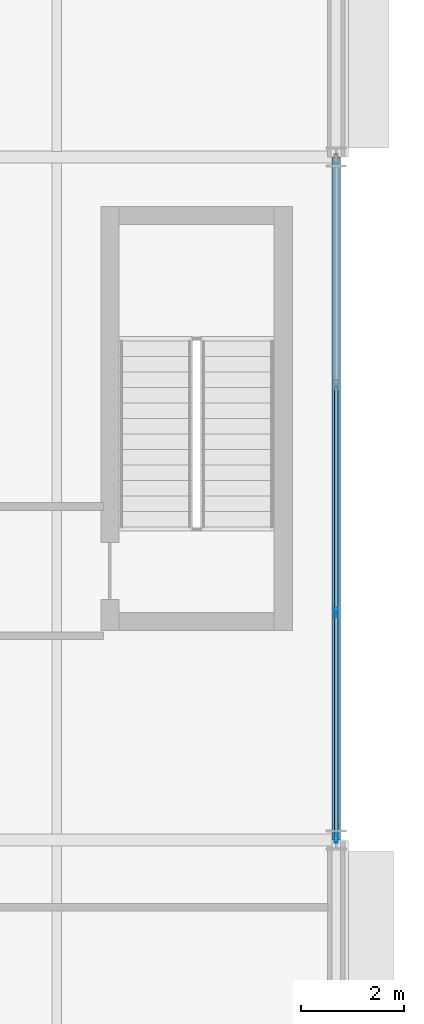
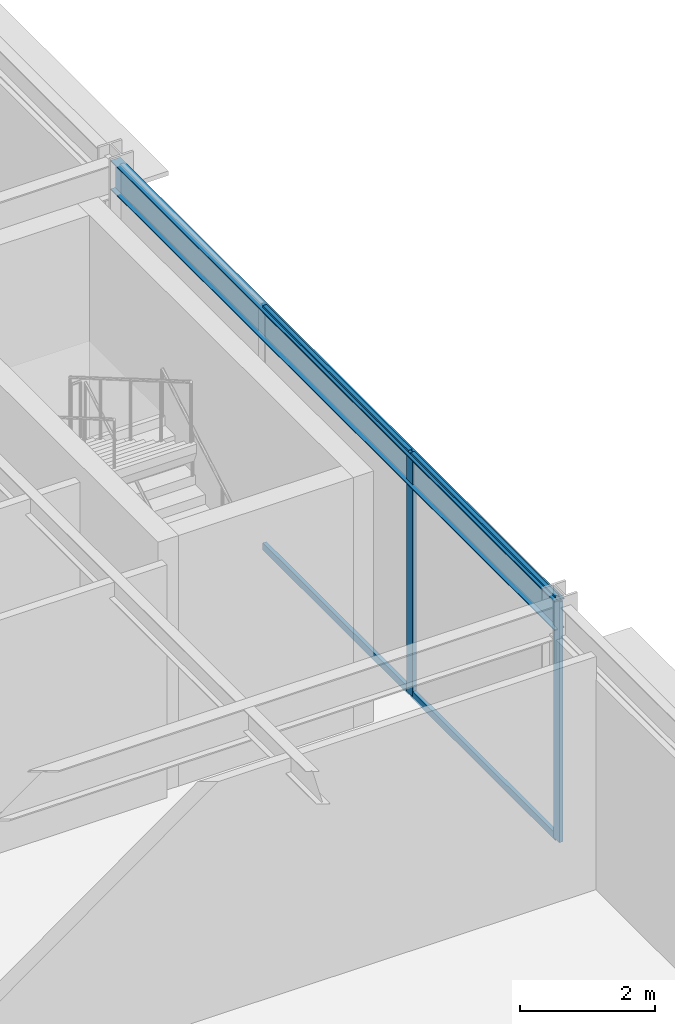
# One storey, part 106 of 157: 6 members, 1 beam, 1 element without a shape of its own.
"""IFC4 building model written with IfcOpenShell, lengths in metres."""

from ifc_helpers import new_model, si_unit, direction, frame, origin, origin_2d, place, context, subcontext, project, spatial, hollow_rectangle, i_section, extrude, material, material_profile, profile_set, type_object, element, aggregate, save


model = new_model("IFC4")

# Units and contexts
model_context = context("Model", 3, precision=1e-05, world=origin(), true_north=direction((0.0, 1.0)))
body_context = subcontext(model_context, "Body", "Model", "MODEL_VIEW")
ifc_project = project(units=[si_unit("LENGTHUNIT", "METRE"), si_unit("AREAUNIT", "SQUARE_METRE"), si_unit("VOLUMEUNIT", "CUBIC_METRE"), si_unit("PLANEANGLEUNIT", "RADIAN"), si_unit("MASSUNIT", "GRAM", prefix="KILO")], contexts=[model_context])

# Site, building, storey
site_placement = place(None, origin())
site = spatial("IfcSite", under=ifc_project, at=site_placement, CompositionType="ELEMENT")
building_placement = place(site_placement, origin())
building = spatial("IfcBuilding", under=site, at=building_placement, Name="Almandine Court Research Institute", CompositionType="ELEMENT")
storey_placement = place(building_placement, frame((0.0, 0.0, 5.25)))
storey = spatial("IfcBuildingStorey", under=building, at=storey_placement, Name="L01", CompositionType="ELEMENT", Elevation=5.25)

# Beam
ifc_material_1 = material(Name="Steel ASTM A992 Grade 50", Category="steel")
ifc_material_profile_1 = material_profile(ifc_material_1, i_section(OverallWidth=0.166015625, OverallDepth=0.534912109375, WebThickness=0.010009765625, FlangeThickness=0.01708984375, at=origin_2d()), Name="W530x85")
ifc_profile_set_1 = profile_set([ifc_material_profile_1], Name="Steel ASTM A992 Grade 50")
beam_type = type_object("IfcBeamType", Name="Beam-G-05-E", PredefinedType="SPANDREL", material=ifc_profile_set_1)
beam_placement = place(storey_placement, frame((174.0, 70.800048828125, 4.10205078125), z_axis=(0.0, 1.0, 0.0), x_axis=(-1.0, 0.0, 0.0)))
element("IfcBeam", 1, at=beam_placement, inside=storey, type_object=beam_type, Name="L01 V4 Primary Y Girder", PredefinedType="SPANDREL", context=body_context, shape_type="SweptSolid", body=[
    extrude(i_section(OverallWidth=0.166015625, OverallDepth=0.534912109375, WebThickness=0.010009765625, FlangeThickness=0.01708984375, at=origin_2d()), origin(), (0.0, 0.0, 1.0), 13.199951171875),
])

# Curtain wall, members
ifc_material_2 = material(Name="Unitised Curtain Wall Framing and Solar Glazing", Category="glass")
curtain_wall_type = type_object("IfcCurtainWallType", Name="CW-CWJ-15", PredefinedType="USERDEFINED", material=ifc_material_2)
curtain_wall_placement = place(storey_placement, origin())
curtain_wall = element("IfcCurtainWall", 2, at=curtain_wall_placement, inside=storey, type_object=curtain_wall_type, Name="L01 Wet Lab East Jali Curtain Wall 7", ObjectType="SOLAR JALI SCREEN", PredefinedType="USERDEFINED")
ifc_material_3 = material(Name="Anodised Aluminium AW-6063-T6", Category="aluminium")
ifc_material_profile_2 = material_profile(ifc_material_3, hollow_rectangle(XDim=0.06494140625, YDim=0.179931640625, WallThickness=0.00390625, at=origin_2d()), Name="ALU RHS 65x180x4")
ifc_profile_set_2 = profile_set([ifc_material_profile_2], Name="Anodised Aluminium AW-6063-T6")
member_type_1 = type_object("IfcMemberType", Name="CWMul-65x180", PredefinedType="MULLION", material=ifc_profile_set_2)
member_1_placement = place(storey_placement, frame((174.0, 75.201416015625, 0.0), z_axis=(0.0, 0.0, 1.0), x_axis=(1.0, 0.0, 0.0)))
member_1 = element("IfcMember", 3, at=member_1_placement, type_object=member_type_1, Name="CWJ-15 mullion 3", PredefinedType="MULLION", context=body_context, shape_type="SweptSolid", body=[
    extrude(hollow_rectangle(XDim=0.06494140625, YDim=0.179931640625, WallThickness=0.00390625, at=origin_2d()), origin(), (0.0, 0.0, 1.0), 4.3701171875),
])
member_2_placement = place(storey_placement, frame((174.0, 70.83642578125, 0.0), z_axis=(0.0, 0.0, 1.0), x_axis=(1.0, 0.0, 0.0)))
member_2 = element("IfcMember", 4, at=member_2_placement, type_object=member_type_1, Name="CWJ-15 mullion 4", PredefinedType="MULLION", context=body_context, shape_type="SweptSolid", body=[
    extrude(hollow_rectangle(XDim=0.06494140625, YDim=0.179931640625, WallThickness=0.00390625, at=origin_2d()), origin(), (0.0, 0.0, 1.0), 4.3701171875),
])
ifc_material_profile_3 = material_profile(ifc_material_3, hollow_rectangle(XDim=0.06494140625, YDim=0.1298828125, WallThickness=0.00390625, at=origin_2d()), Name="ALU RHS 65x130x4")
ifc_profile_set_3 = profile_set([ifc_material_profile_3], Name="Anodised Aluminium AW-6063-T6")
member_type_2 = type_object("IfcMemberType", Name="CWTrn-65x130", PredefinedType="NOTDEFINED", material=ifc_profile_set_3)
member_3_placement = place(storey_placement, frame((174.0, 79.566162109375, 0.032470703125), z_axis=(0.0, -1.0, 0.0), x_axis=(1.0, 0.0, 0.0)))
member_3 = element("IfcMember", 5, at=member_3_placement, type_object=member_type_2, Name="CWJ-15 transom 2.1", ObjectType="TRANSOM", PredefinedType="USERDEFINED", context=body_context, shape_type="SweptSolid", body=[
    extrude(hollow_rectangle(XDim=0.06494140625, YDim=0.1298828125, WallThickness=0.00390625, at=origin_2d()), origin(), (0.0, 0.0, 1.0), 4.332275390625),
])
member_4_placement = place(storey_placement, frame((174.0, 79.566162109375, 4.33740234375), z_axis=(0.0, -1.0, 0.0), x_axis=(1.0, 0.0, 0.0)))
member_4 = element("IfcMember", 6, at=member_4_placement, type_object=member_type_2, Name="CWJ-15 transom 2.2", ObjectType="TRANSOM", PredefinedType="USERDEFINED", context=body_context, shape_type="SweptSolid", body=[
    extrude(hollow_rectangle(XDim=0.06494140625, YDim=0.1298828125, WallThickness=0.00390625, at=origin_2d()), origin(), (0.0, 0.0, 1.0), 4.332275390625),
])
member_5_placement = place(storey_placement, frame((174.0, 75.1689453125, 0.032470703125), z_axis=(0.0, -1.0, 0.0), x_axis=(1.0, 0.0, 0.0)))
member_5 = element("IfcMember", 7, at=member_5_placement, type_object=member_type_2, Name="CWJ-15 transom 3.1", ObjectType="TRANSOM", PredefinedType="USERDEFINED", context=body_context, shape_type="SweptSolid", body=[
    extrude(hollow_rectangle(XDim=0.06494140625, YDim=0.1298828125, WallThickness=0.00390625, at=origin_2d()), origin(), (0.0, 0.0, 1.0), 4.300048828125),
])
member_6_placement = place(storey_placement, frame((174.0, 75.1689453125, 4.33740234375), z_axis=(0.0, -1.0, 0.0), x_axis=(1.0, 0.0, 0.0)))
member_6 = element("IfcMember", 8, at=member_6_placement, type_object=member_type_2, Name="CWJ-15 transom 3.2", ObjectType="TRANSOM", PredefinedType="USERDEFINED", context=body_context, shape_type="SweptSolid", body=[
    extrude(hollow_rectangle(XDim=0.06494140625, YDim=0.1298828125, WallThickness=0.00390625, at=origin_2d()), origin(), (0.0, 0.0, 1.0), 4.300048828125),
])
aggregate(curtain_wall, [member_1, member_2, member_3, member_4, member_5, member_6])

save(model, "model.ifc")
